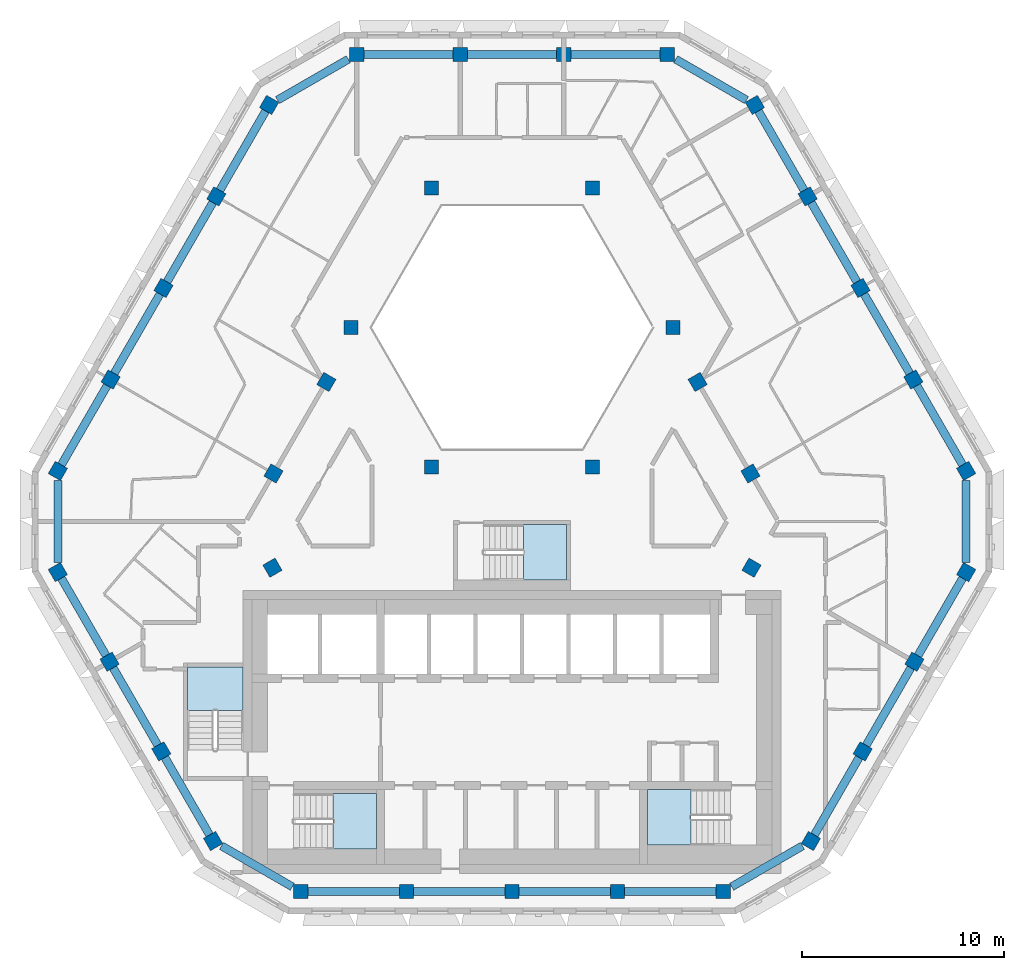
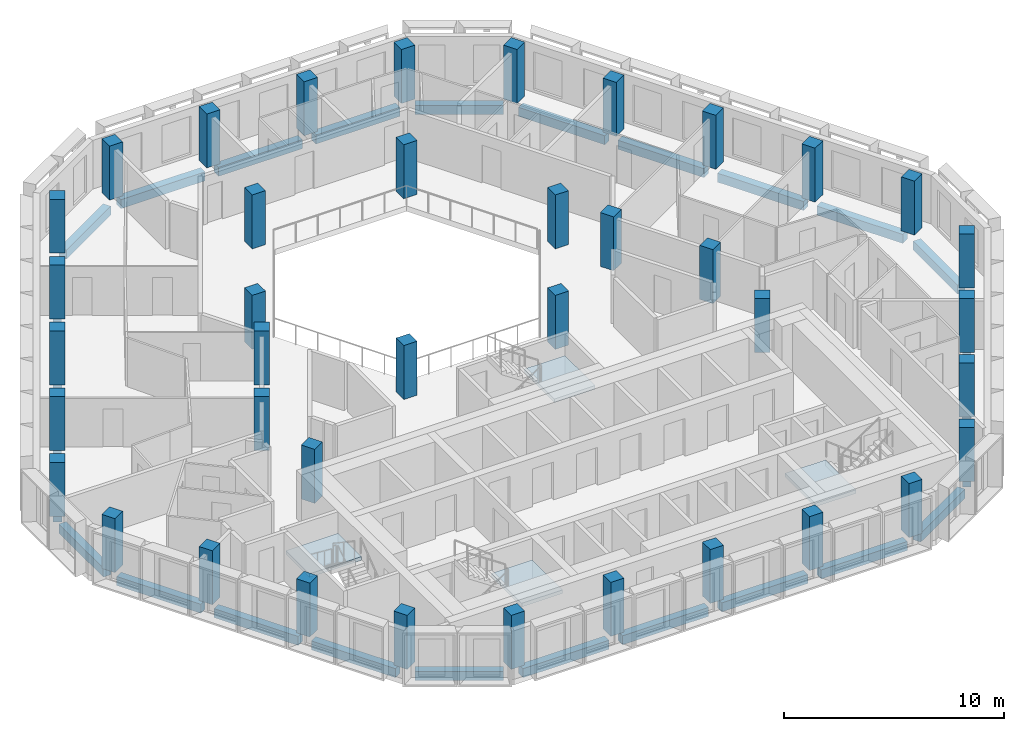
# One storey, part 1 of 16: 39 columns, 27 beams, 4 slabs, 4 elements without a shape of their own.
"""IFC4 building model written with IfcOpenShell, lengths in metres."""

from ifc_helpers import new_model, si_unit, direction, frame, origin, origin_2d, place, context, subcontext, project, spatial, polyline, rectangle, outline, extrude, material, layer, layer_set, material_profile, profile_set, type_object, element, aggregate, save


model = new_model("IFC4")

# Units and contexts
model_context = context("Model", 3, precision=1e-05, world=origin(), true_north=direction((0.0, 1.0)))
body_context = subcontext(model_context, "Body", "Model", "MODEL_VIEW")
ifc_project = project(units=[si_unit("LENGTHUNIT", "METRE"), si_unit("AREAUNIT", "SQUARE_METRE"), si_unit("VOLUMEUNIT", "CUBIC_METRE"), si_unit("PLANEANGLEUNIT", "RADIAN"), si_unit("MASSUNIT", "GRAM", prefix="KILO")], contexts=[model_context])

# Site, building, storey
site_placement = place(None, origin())
site = spatial("IfcSite", under=ifc_project, at=site_placement, CompositionType="ELEMENT")
building_placement = place(site_placement, origin())
building = spatial("IfcBuilding", under=site, at=building_placement, Name="Beryl Residences", CompositionType="ELEMENT")
storey_placement = place(building_placement, frame((0.0, 0.0, 232.800048828125)))
storey = spatial("IfcBuildingStorey", under=building, at=storey_placement, Name="L72", CompositionType="ELEMENT", Elevation=232.800048828125)

# Columns
ifc_material_1 = material(Name="Concrete C50/60", Category="concrete")
ifc_material_profile_1 = material_profile(ifc_material_1, rectangle(XDim=0.699951171875, YDim=0.699951171875, at=origin_2d()))
ifc_profile_set_1 = profile_set([ifc_material_profile_1], Name="Concrete C50/60")
column_type_1 = type_object("IfcColumnType", Name="C5 tube column 700 x 700 C50/60", PredefinedType="COLUMN", material=ifc_profile_set_1)
for number, where, z_axis, x_axis, name in (
    (1, (7.678955078125, 21.5, 0.0), (0.0, 0.0, 1.0), (-1.0, 0.0, 0.0), "C5-N1 L72"),
    (2, (2.56005859375, 21.5, 0.0), (0.0, 0.0, 1.0), (-1.0, 0.0, 0.0), "C5-N2 L72"),
    (3, (-2.55908203125, 21.5, 0.0), (0.0, 0.0, 1.0), (-1.0, 0.0, 0.0), "C5-N3 L72"),
    (4, (-7.677978515625, 21.5, 0.0), (0.0, 0.0, 1.0), (-1.0, 0.0, 0.0), "C5-N4 L72"),
    (5, (-12.009033203125, 19.0, 0.0), (0.0, 0.0, 1.0), (-0.499969769706, -0.866042856549, 0.0), "C5-NW1 L72"),
    (6, (-14.62109375, 14.47509765625, 0.0), (0.0, 0.0, 1.0), (-0.499969769706, -0.866042856549, 0.0), "C5-NW2 L72"),
    (7, (-17.23291015625, 9.949951171875, 0.0), (0.0, 0.0, 1.0), (-0.499969769706, -0.866042856549, 0.0), "C5-NW3 L72"),
    (8, (-19.845947265625, 5.425048828125, 0.0), (0.0, 0.0, 1.0), (-0.499969769706, -0.866042856549, 0.0), "C5-NW4 L72"),
    (9, (-22.4580078125, 0.89990234375, 0.0), (0.0, 0.0, 1.0), (-0.499969769706, -0.866042856549, 0.0), "C5-NW5 L72"),
    (10, (-22.458984375, -4.10009765625, 0.0), (0.0, 0.0, 1.0), (0.499984884929, -0.866034130299, 0.0), "C5-SW1 L72"),
    (11, (-19.89892578125, -8.532958984375, 0.0), (0.0, 0.0, 1.0), (0.499984884929, -0.866034130299, 0.0), "C5-SW2 L72"),
    (12, (-17.340087890625, -12.966064453125, 0.0), (0.0, 0.0, 1.0), (0.499984884929, -0.866034130299, 0.0), "C5-SW3 L72"),
    (13, (-14.781005859375, -17.39892578125, 0.0), (0.0, 0.0, 1.0), (0.499984884929, -0.866034130299, 0.0), "C5-SW4 L72"),
    (14, (-10.449951171875, -19.89990234375, 0.0), (0.0, 0.0, 1.0), (1.0, 0.0, 0.0), "C5-S1 L72"),
    (15, (-5.22509765625, -19.89990234375, 0.0), (0.0, 0.0, 1.0), (1.0, 0.0, 0.0), "C5-S2 L72"),
    (16, (0.0, -19.89990234375, 0.0), (0.0, 0.0, 1.0), (1.0, 0.0, 0.0), "C5-S3 L72"),
    (17, (5.22509765625, -19.89990234375, 0.0), (0.0, 0.0, 1.0), (1.0, 0.0, 0.0), "C5-S4 L72"),
    (18, (10.449951171875, -19.89990234375, 0.0), (0.0, 0.0, 1.0), (1.0, 0.0, 0.0), "C5-S5 L72"),
    (19, (14.780029296875, -17.39990234375, 0.0), (0.0, 0.0, 1.0), (0.499984884929, 0.866034130299, 0.0), "C5-SE1 L72"),
    (20, (17.339111328125, -12.967041015625, 0.0), (0.0, 0.0, 1.0), (0.499984884929, 0.866034130299, 0.0), "C5-SE2 L72"),
    (21, (19.89892578125, -8.533935546875, 0.0), (0.0, 0.0, 1.0), (0.499984884929, 0.866034130299, 0.0), "C5-SE3 L72"),
    (22, (22.4580078125, -4.10107421875, 0.0), (0.0, 0.0, 1.0), (0.499984884929, 0.866034130299, 0.0), "C5-SE4 L72"),
    (23, (22.4580078125, 0.89990234375, 0.0), (0.0, 0.0, 1.0), (-0.499969769706, 0.866042856549, 0.0), "C5-NE1 L72"),
    (24, (19.845947265625, 5.425048828125, 0.0), (0.0, 0.0, 1.0), (-0.499969769706, 0.866042856549, 0.0), "C5-NE2 L72"),
    (25, (17.23291015625, 9.949951171875, 0.0), (0.0, 0.0, 1.0), (-0.499969769706, 0.866042856549, 0.0), "C5-NE3 L72"),
    (26, (14.62109375, 14.47509765625, 0.0), (0.0, 0.0, 1.0), (-0.499969769706, 0.866042856549, 0.0), "C5-NE4 L72"),
    (27, (12.009033203125, 19.0, 0.0), (0.0, 0.0, 1.0), (-0.499969769706, 0.866042856549, 0.0), "C5-NE5 L72"),
):
    element("IfcColumn", number, at=place(storey_placement, frame(where, z_axis=z_axis, x_axis=x_axis)), inside=storey, type_object=column_type_1, Name=name, PredefinedType="COLUMN", context=body_context, shape_type="SweptSolid", body=[
        extrude(rectangle(XDim=0.699951171875, YDim=0.699951171875, at=origin_2d()), origin(), (0.0, 0.0, 1.0), 3.0),
    ])
ifc_material_2 = material(Name="Concrete C50/60", Category="concrete")
ifc_material_profile_2 = material_profile(ifc_material_2, rectangle(XDim=0.699951171875, YDim=0.699951171875, at=origin_2d()))
ifc_profile_set_2 = profile_set([ifc_material_profile_2], Name="Concrete C50/60")
column_type_2 = type_object("IfcColumnType", Name="IC5 interior column 700 x 700 C50/60", PredefinedType="COLUMN", material=ifc_profile_set_2)
for number, where, z_axis, x_axis, name in (
    (28, (-11.844970703125, -3.883056640625, 0.0), (0.0, 0.0, 1.0), (0.499984884929, -0.866034130299, 0.0), "IC5-M01 L72"),
    (29, (11.844970703125, -3.884033203125, 0.0), (0.0, 0.0, 1.0), (0.499984884929, 0.866034130299, 0.0), "IC5-M02 L72"),
    (30, (11.7919921875, 0.77490234375, 0.0), (0.0, 0.0, 1.0), (-0.499969769706, 0.866042856549, 0.0), "IC5-M03 L72"),
    (31, (3.98388671875, 1.10009765625, 0.0), (0.0, 0.0, 1.0), (1.0, 0.0, 0.0), "IC5-A04 L72"),
    (32, (9.178955078125, 5.300048828125, 0.0), (0.0, 0.0, 1.0), (-0.499969769706, 0.866042856549, 0.0), "IC5-M05 L72"),
    (33, (7.967041015625, 8.0, 0.0), (0.0, 0.0, 1.0), (1.0, 0.0, 0.0), "IC5-A06 L72"),
    (34, (3.98388671875, 14.89990234375, 0.0), (0.0, 0.0, 1.0), (1.0, 0.0, 0.0), "IC5-A07 L72"),
    (35, (-3.98388671875, 14.89990234375, 0.0), (0.0, 0.0, 1.0), (1.0, 0.0, 0.0), "IC5-A08 L72"),
    (36, (-7.967041015625, 8.0, 0.0), (0.0, 0.0, 1.0), (1.0, 0.0, 0.0), "IC5-A09 L72"),
    (37, (-9.178955078125, 5.300048828125, 0.0), (0.0, 0.0, 1.0), (-0.499969769706, -0.866042856549, 0.0), "IC5-M10 L72"),
    (38, (-3.98388671875, 1.10009765625, 0.0), (0.0, 0.0, 1.0), (1.0, 0.0, 0.0), "IC5-A11 L72"),
    (39, (-11.7919921875, 0.77490234375, 0.0), (0.0, 0.0, 1.0), (-0.499969769706, -0.866042856549, 0.0), "IC5-M12 L72"),
):
    element("IfcColumn", number, at=place(storey_placement, frame(where, z_axis=z_axis, x_axis=x_axis)), inside=storey, type_object=column_type_2, Name=name, PredefinedType="COLUMN", context=body_context, shape_type="SweptSolid", body=[
        extrude(rectangle(XDim=0.699951171875, YDim=0.699951171875, at=origin_2d()), origin(), (0.0, 0.0, 1.0), 3.0),
    ])

# Beams
ifc_material_3 = material(Name="Concrete C50/60", Category="concrete")
ifc_material_profile_3 = material_profile(ifc_material_3, rectangle(XDim=0.39990234375, YDim=0.5, at=origin_2d()))
ifc_profile_set_3 = profile_set([ifc_material_profile_3], Name="Concrete C50/60")
beam_type = type_object("IfcBeamType", Name="SB5 spandrel beam 400 x 500 C50/60", PredefinedType="SPANDREL", material=ifc_profile_set_3)
beam_1_placement = place(storey_placement, frame((7.3291015625, 21.5, -0.550048828125), z_axis=(-1.0, 0.0, 0.0), x_axis=(0.0, -1.0, 0.0)))
element("IfcBeam", 40, at=beam_1_placement, inside=storey, type_object=beam_type, Name="SB5 L72 N-0", PredefinedType="SPANDREL", context=body_context, shape_type="SweptSolid", body=[
    extrude(rectangle(XDim=0.39990234375, YDim=0.5, at=origin_2d()), origin(), (0.0, 0.0, 1.0), 4.419189453125),
])
for number, where, z_axis, x_axis, name in (
    (41, (2.2099609375, 21.5, -0.550048828125), (-1.0, 0.0, 0.0), (0.0, -1.0, 0.0), "SB5 L72 N-1"),
    (42, (-2.908935546875, 21.5, -0.550048828125), (-1.0, 0.0, 0.0), (0.0, -1.0, 0.0), "SB5 L72 N-2"),
):
    element("IfcBeam", number, at=place(storey_placement, frame(where, z_axis=z_axis, x_axis=x_axis)), inside=storey, type_object=beam_type, Name=name, PredefinedType="SPANDREL", context=body_context, shape_type="SweptSolid", body=[
        extrude(rectangle(XDim=0.39990234375, YDim=0.5, at=origin_2d()), origin(), (0.0, 0.0, 1.0), 4.4189453125),
    ])
beam_2_placement = place(storey_placement, frame((-8.092041015625, 21.260986328125, -0.550048828125), z_axis=(-0.866073013527, -0.499917528438, 0.0), x_axis=(0.499917528438, -0.866073013527, 0.0)))
element("IfcBeam", 43, at=beam_2_placement, inside=storey, type_object=beam_type, Name="SB5 L72 N-3", PredefinedType="SPANDREL", context=body_context, shape_type="SweptSolid", body=[
    extrude(rectangle(XDim=0.39990234375, YDim=0.5, at=origin_2d()), origin(), (0.0, 0.0, 1.0), 4.044677734375),
])
beam_3_placement = place(storey_placement, frame((-12.18408203125, 18.697021484375, -0.550048828125), z_axis=(-0.499893710643, -0.866086761277, 0.0), x_axis=(0.866086761277, -0.499893710643, 0.0)))
element("IfcBeam", 44, at=beam_3_placement, inside=storey, type_object=beam_type, Name="SB5 L72 NW-0", PredefinedType="SPANDREL", context=body_context, shape_type="SweptSolid", body=[
    extrude(rectangle(XDim=0.39990234375, YDim=0.5, at=origin_2d()), origin(), (0.0, 0.0, 1.0), 4.52490234375),
])
beam_4_placement = place(storey_placement, frame((-14.7958984375, 14.172119140625, -0.550048828125), z_axis=(-0.499910821401, -0.866076884951, 0.0), x_axis=(0.866076884951, -0.499910821401, 0.0)))
element("IfcBeam", 45, at=beam_4_placement, inside=storey, type_object=beam_type, Name="SB5 L72 NW-1", PredefinedType="SPANDREL", context=body_context, shape_type="SweptSolid", body=[
    extrude(rectangle(XDim=0.39990234375, YDim=0.5, at=origin_2d()), origin(), (0.0, 0.0, 1.0), 4.525146484375),
])
beam_5_placement = place(storey_placement, frame((-17.407958984375, 9.64697265625, -0.550048828125), z_axis=(-0.500055572588, -0.865993316558, 0.0), x_axis=(0.865993316558, -0.500055572588, 0.0)))
element("IfcBeam", 46, at=beam_5_placement, inside=storey, type_object=beam_type, Name="SB5 L72 NW-2", PredefinedType="SPANDREL", context=body_context, shape_type="SweptSolid", body=[
    extrude(rectangle(XDim=0.39990234375, YDim=0.5, at=origin_2d()), origin(), (0.0, 0.0, 1.0), 4.525390625),
])
beam_6_placement = place(storey_placement, frame((-20.02099609375, 5.1220703125, -0.550048828125), z_axis=(-0.499870351634, -0.866100243365, 0.0), x_axis=(0.866100243365, -0.499870351634, 0.0)))
element("IfcBeam", 47, at=beam_6_placement, inside=storey, type_object=beam_type, Name="SB5 L72 NW-3", PredefinedType="SPANDREL", context=body_context, shape_type="SweptSolid", body=[
    extrude(rectangle(XDim=0.39990234375, YDim=0.5, at=origin_2d()), origin(), (0.0, 0.0, 1.0), 4.525146484375),
])
beam_7_placement = place(storey_placement, frame((-22.4580078125, 0.422119140625, -0.550048828125), z_axis=(-0.000241472978, -0.999999970845, 0.0), x_axis=(0.999999970845, -0.000241472978, 0.0)))
element("IfcBeam", 48, at=beam_7_placement, inside=storey, type_object=beam_type, Name="SB5 L72 NW-4", PredefinedType="SPANDREL", context=body_context, shape_type="SweptSolid", body=[
    extrude(rectangle(XDim=0.39990234375, YDim=0.5, at=origin_2d()), origin(), (0.0, 0.0, 1.0), 4.044189453125),
])
beam_8_placement = place(storey_placement, frame((-22.283935546875, -4.403076171875, -0.550048828125), z_axis=(0.500084296963, -0.86597672944, 0.0), x_axis=(0.86597672944, 0.500084296963, 0.0)))
element("IfcBeam", 49, at=beam_8_placement, inside=storey, type_object=beam_type, Name="SB5 L72 SW-0", PredefinedType="SPANDREL", context=body_context, shape_type="SweptSolid", body=[
    extrude(rectangle(XDim=0.39990234375, YDim=0.5, at=origin_2d()), origin(), (0.0, 0.0, 1.0), 4.419189453125),
])
beam_9_placement = place(storey_placement, frame((-19.72412109375, -8.8359375, -0.550048828125), z_axis=(0.49993607075, -0.866062310208, 0.0), x_axis=(0.866062310208, 0.49993607075, 0.0)))
element("IfcBeam", 50, at=beam_9_placement, inside=storey, type_object=beam_type, Name="SB5 L72 SW-1", PredefinedType="SPANDREL", context=body_context, shape_type="SweptSolid", body=[
    extrude(rectangle(XDim=0.39990234375, YDim=0.5, at=origin_2d()), origin(), (0.0, 0.0, 1.0), 4.4189453125),
])
beam_10_placement = place(storey_placement, frame((-17.1650390625, -13.26904296875, -0.550048828125), z_axis=(0.499918550948, -0.86607242331, 0.0), x_axis=(0.86607242331, 0.499918550948, 0.0)))
element("IfcBeam", 51, at=beam_10_placement, inside=storey, type_object=beam_type, Name="SB5 L72 SW-2", PredefinedType="SPANDREL", context=body_context, shape_type="SweptSolid", body=[
    extrude(rectangle(XDim=0.39990234375, YDim=0.5, at=origin_2d()), origin(), (0.0, 0.0, 1.0), 4.418701171875),
])
beam_11_placement = place(storey_placement, frame((-14.366943359375, -17.637939453125, -0.550048828125), z_axis=(0.865968468779, -0.500098601359, 0.0), x_axis=(0.500098601359, 0.865968468779, 0.0)))
element("IfcBeam", 52, at=beam_11_placement, inside=storey, type_object=beam_type, Name="SB5 L72 SW-3", PredefinedType="SPANDREL", context=body_context, shape_type="SweptSolid", body=[
    extrude(rectangle(XDim=0.39990234375, YDim=0.5, at=origin_2d()), origin(), (0.0, 0.0, 1.0), 4.045166015625),
])
beam_12_placement = place(storey_placement, frame((-10.10009765625, -19.89990234375, -0.550048828125), z_axis=(1.0, 0.0, 0.0), x_axis=(0.0, 1.0, 0.0)))
element("IfcBeam", 53, at=beam_12_placement, inside=storey, type_object=beam_type, Name="SB5 L72 S-0", PredefinedType="SPANDREL", context=body_context, shape_type="SweptSolid", body=[
    extrude(rectangle(XDim=0.39990234375, YDim=0.5, at=origin_2d()), origin(), (0.0, 0.0, 1.0), 4.525146484375),
])
for number, where, z_axis, x_axis, name in (
    (54, (-4.875, -19.89990234375, -0.550048828125), (1.0, 0.0, 0.0), (0.0, 1.0, 0.0), "SB5 L72 S-1"),
    (55, (0.35009765625, -19.89990234375, -0.550048828125), (1.0, 0.0, 0.0), (0.0, 1.0, 0.0), "SB5 L72 S-2"),
):
    element("IfcBeam", number, at=place(storey_placement, frame(where, z_axis=z_axis, x_axis=x_axis)), inside=storey, type_object=beam_type, Name=name, PredefinedType="SPANDREL", context=body_context, shape_type="SweptSolid", body=[
        extrude(rectangle(XDim=0.39990234375, YDim=0.5, at=origin_2d()), origin(), (0.0, 0.0, 1.0), 4.52490234375),
    ])
beam_13_placement = place(storey_placement, frame((5.574951171875, -19.89990234375, -0.550048828125), z_axis=(1.0, 0.0, 0.0), x_axis=(0.0, 1.0, 0.0)))
element("IfcBeam", 56, at=beam_13_placement, inside=storey, type_object=beam_type, Name="SB5 L72 S-3", PredefinedType="SPANDREL", context=body_context, shape_type="SweptSolid", body=[
    extrude(rectangle(XDim=0.39990234375, YDim=0.5, at=origin_2d()), origin(), (0.0, 0.0, 1.0), 4.525146484375),
])
beam_14_placement = place(storey_placement, frame((10.864013671875, -19.660888671875, -0.550048828125), z_axis=(0.866012652573, 0.500022085096, 0.0), x_axis=(-0.500022085096, 0.866012652573, 0.0)))
element("IfcBeam", 57, at=beam_14_placement, inside=storey, type_object=beam_type, Name="SB5 L72 S-4", PredefinedType="SPANDREL", context=body_context, shape_type="SweptSolid", body=[
    extrude(rectangle(XDim=0.39990234375, YDim=0.5, at=origin_2d()), origin(), (0.0, 0.0, 1.0), 4.043701171875),
])
beam_15_placement = place(storey_placement, frame((14.955078125, -17.096923828125, -0.550048828125), z_axis=(0.499918550948, 0.86607242331, 0.0), x_axis=(-0.86607242331, 0.499918550948, 0.0)))
element("IfcBeam", 58, at=beam_15_placement, inside=storey, type_object=beam_type, Name="SB5 L72 SE-0", PredefinedType="SPANDREL", context=body_context, shape_type="SweptSolid", body=[
    extrude(rectangle(XDim=0.39990234375, YDim=0.5, at=origin_2d()), origin(), (0.0, 0.0, 1.0), 4.418701171875),
])
beam_16_placement = place(storey_placement, frame((17.513916015625, -12.6640625, -0.550048828125), z_axis=(0.500101800387, 0.865966621326, 0.0), x_axis=(-0.865966621326, 0.500101800387, 0.0)))
element("IfcBeam", 59, at=beam_16_placement, inside=storey, type_object=beam_type, Name="SB5 L72 SE-1", PredefinedType="SPANDREL", context=body_context, shape_type="SweptSolid", body=[
    extrude(rectangle(XDim=0.39990234375, YDim=0.5, at=origin_2d()), origin(), (0.0, 0.0, 1.0), 4.41943359375),
])
beam_17_placement = place(storey_placement, frame((20.073974609375, -8.23095703125, -0.550048828125), z_axis=(0.499918550948, 0.86607242331, 0.0), x_axis=(-0.86607242331, 0.499918550948, 0.0)))
element("IfcBeam", 60, at=beam_17_placement, inside=storey, type_object=beam_type, Name="SB5 L72 SE-2", PredefinedType="SPANDREL", context=body_context, shape_type="SweptSolid", body=[
    extrude(rectangle(XDim=0.39990234375, YDim=0.5, at=origin_2d()), origin(), (0.0, 0.0, 1.0), 4.418701171875),
])
beam_18_placement = place(storey_placement, frame((22.4580078125, -3.623046875, -0.550048828125), z_axis=(0.0, 1.0, 0.0), x_axis=(-1.0, 0.0, 0.0)))
element("IfcBeam", 61, at=beam_18_placement, inside=storey, type_object=beam_type, Name="SB5 L72 SE-3", PredefinedType="SPANDREL", context=body_context, shape_type="SweptSolid", body=[
    extrude(rectangle(XDim=0.39990234375, YDim=0.5, at=origin_2d()), origin(), (0.0, 0.0, 1.0), 4.045166015625),
])
beam_19_placement = place(storey_placement, frame((22.282958984375, 1.202880859375, -0.550048828125), z_axis=(-0.499870351634, 0.866100243365, 0.0), x_axis=(-0.866100243365, -0.499870351634, 0.0)))
element("IfcBeam", 62, at=beam_19_placement, inside=storey, type_object=beam_type, Name="SB5 L72 NE-0", PredefinedType="SPANDREL", context=body_context, shape_type="SweptSolid", body=[
    extrude(rectangle(XDim=0.39990234375, YDim=0.5, at=origin_2d()), origin(), (0.0, 0.0, 1.0), 4.525146484375),
])
beam_20_placement = place(storey_placement, frame((19.6708984375, 5.72802734375, -0.550048828125), z_axis=(-0.500055572588, 0.865993316558, 0.0), x_axis=(-0.865993316558, -0.500055572588, 0.0)))
element("IfcBeam", 63, at=beam_20_placement, inside=storey, type_object=beam_type, Name="SB5 L72 NE-1", PredefinedType="SPANDREL", context=body_context, shape_type="SweptSolid", body=[
    extrude(rectangle(XDim=0.39990234375, YDim=0.5, at=origin_2d()), origin(), (0.0, 0.0, 1.0), 4.525390625),
])
beam_21_placement = place(storey_placement, frame((17.05810546875, 10.2529296875, -0.550048828125), z_axis=(-0.499910821401, 0.866076884951, 0.0), x_axis=(-0.866076884951, -0.499910821401, 0.0)))
element("IfcBeam", 64, at=beam_21_placement, inside=storey, type_object=beam_type, Name="SB5 L72 NE-2", PredefinedType="SPANDREL", context=body_context, shape_type="SweptSolid", body=[
    extrude(rectangle(XDim=0.39990234375, YDim=0.5, at=origin_2d()), origin(), (0.0, 0.0, 1.0), 4.525146484375),
])
beam_22_placement = place(storey_placement, frame((14.446044921875, 14.778076171875, -0.550048828125), z_axis=(-0.499893710643, 0.866086761277, 0.0), x_axis=(-0.866086761277, -0.499893710643, 0.0)))
element("IfcBeam", 65, at=beam_22_placement, inside=storey, type_object=beam_type, Name="SB5 L72 NE-3", PredefinedType="SPANDREL", context=body_context, shape_type="SweptSolid", body=[
    extrude(rectangle(XDim=0.39990234375, YDim=0.5, at=origin_2d()), origin(), (0.0, 0.0, 1.0), 4.52490234375),
])
beam_23_placement = place(storey_placement, frame((11.594970703125, 19.239013671875, -0.550048828125), z_axis=(-0.866012652573, 0.500022085096, 0.0), x_axis=(-0.500022085096, -0.866012652573, 0.0)))
element("IfcBeam", 66, at=beam_23_placement, inside=storey, type_object=beam_type, Name="SB5 L72 NE-4", PredefinedType="SPANDREL", context=body_context, shape_type="SweptSolid", body=[
    extrude(rectangle(XDim=0.39990234375, YDim=0.5, at=origin_2d()), origin(), (0.0, 0.0, 1.0), 4.043701171875),
])

# Stair, slab
ifc_material_4 = material(Name="Concrete C40/50", Category="concrete")
stair_type = type_object("IfcStairType", Name="ST1 protected exit stair, half-turn, 1300 mm flights", PredefinedType="HALF_TURN_STAIR", material=ifc_material_4)
stair_1_placement = place(storey_placement, origin())
stair_1 = element("IfcStair", 67, at=stair_1_placement, inside=storey, type_object=stair_type, Name="L72 PROTECTED EXIT STAIR ST-1", PredefinedType="HALF_TURN_STAIR")
ifc_material_5 = material(Name="Concrete C40/50", Category="concrete")
ifc_layer = layer(ifc_material_5, 0.199951171875)
ifc_layer_set = layer_set([ifc_layer], Name="SLD1 stair landing 200 mm")
slab_type = type_object("IfcSlabType", Name="SLD1 stair landing 200 mm", PredefinedType="LANDING", material=ifc_layer_set)
slab_1_placement = place(storey_placement, frame((0.0, 0.0, 1.300048828125)))
slab_1 = element("IfcSlab", 68, at=slab_1_placement, type_object=slab_type, Name="ST-1 landing 1", PredefinedType="LANDING", context=body_context, shape_type="SweptSolid", body=[
    extrude(outline(polyline([(-8.840087890625, -17.800048828125), (-6.699951171875, -17.800048828125), (-6.699951171875, -15.050048828125), (-8.840087890625, -15.050048828125), (-8.840087890625, -17.800048828125)])), origin(), (0.0, 0.0, 1.0), 0.199951171875),
])
aggregate(stair_1, [slab_1])

stair_2_placement = place(storey_placement, origin())
stair_2 = element("IfcStair", 69, at=stair_2_placement, inside=storey, type_object=stair_type, Name="L72 PROTECTED EXIT STAIR ST-2", PredefinedType="HALF_TURN_STAIR")
slab_2_placement = place(storey_placement, frame((0.0, 0.0, 1.300048828125)))
slab_2 = element("IfcSlab", 70, at=slab_2_placement, type_object=slab_type, Name="ST-2 landing 1", PredefinedType="LANDING", context=body_context, shape_type="SweptSolid", body=[
    extrude(outline(polyline([(-13.300048828125, -10.93994140625), (-13.300048828125, -8.800048828125), (-16.050048828125, -8.800048828125), (-16.050048828125, -10.93994140625), (-13.300048828125, -10.93994140625)])), origin(), (0.0, 0.0, 1.0), 0.199951171875),
])
aggregate(stair_2, [slab_2])

stair_3_placement = place(storey_placement, origin())
stair_3 = element("IfcStair", 71, at=stair_3_placement, inside=storey, type_object=stair_type, Name="L72 PROTECTED EXIT STAIR ST-3", PredefinedType="HALF_TURN_STAIR")
slab_3_placement = place(storey_placement, frame((0.0, 0.0, 1.300048828125)))
slab_3 = element("IfcSlab", 72, at=slab_3_placement, type_object=slab_type, Name="ST-3 landing 1", PredefinedType="LANDING", context=body_context, shape_type="SweptSolid", body=[
    extrude(outline(polyline([(8.840087890625, -14.85009765625), (6.699951171875, -14.85009765625), (6.699951171875, -17.60009765625), (8.840087890625, -17.60009765625), (8.840087890625, -14.85009765625)])), origin(), (0.0, 0.0, 1.0), 0.199951171875),
])
aggregate(stair_3, [slab_3])

stair_4_placement = place(storey_placement, origin())
stair_4 = element("IfcStair", 73, at=stair_4_placement, inside=storey, type_object=stair_type, Name="L72 PROTECTED EXIT STAIR ST-4", PredefinedType="HALF_TURN_STAIR")
slab_4_placement = place(storey_placement, frame((0.0, 0.0, 1.300048828125)))
slab_4 = element("IfcSlab", 74, at=slab_4_placement, type_object=slab_type, Name="ST-4 landing 1", PredefinedType="LANDING", context=body_context, shape_type="SweptSolid", body=[
    extrude(outline(polyline([(0.56005859375, -4.5), (2.699951171875, -4.5), (2.699951171875, -1.75), (0.56005859375, -1.75), (0.56005859375, -4.5)])), origin(), (0.0, 0.0, 1.0), 0.199951171875),
])
aggregate(stair_4, [slab_4])

save(model, "model.ifc")
